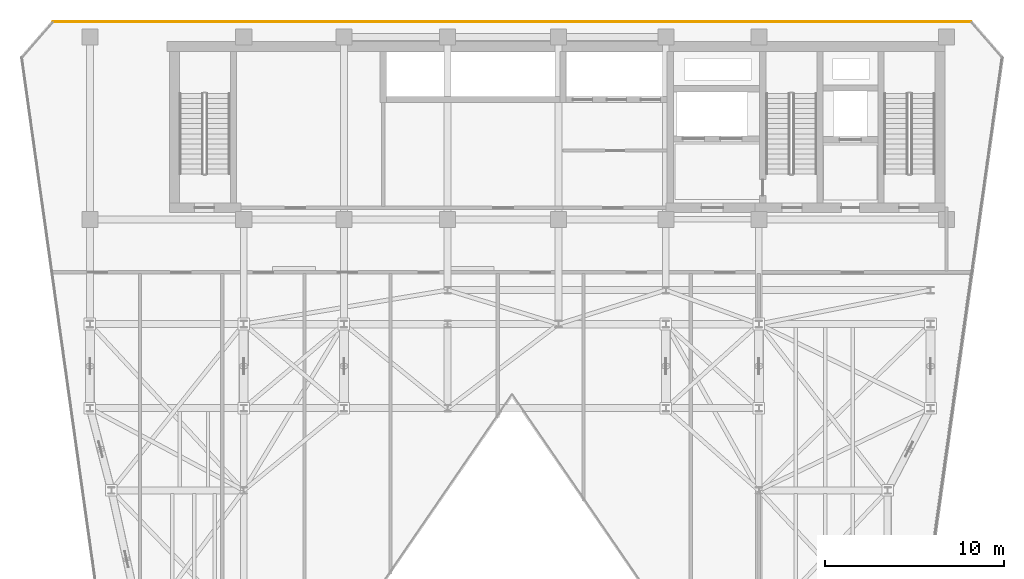
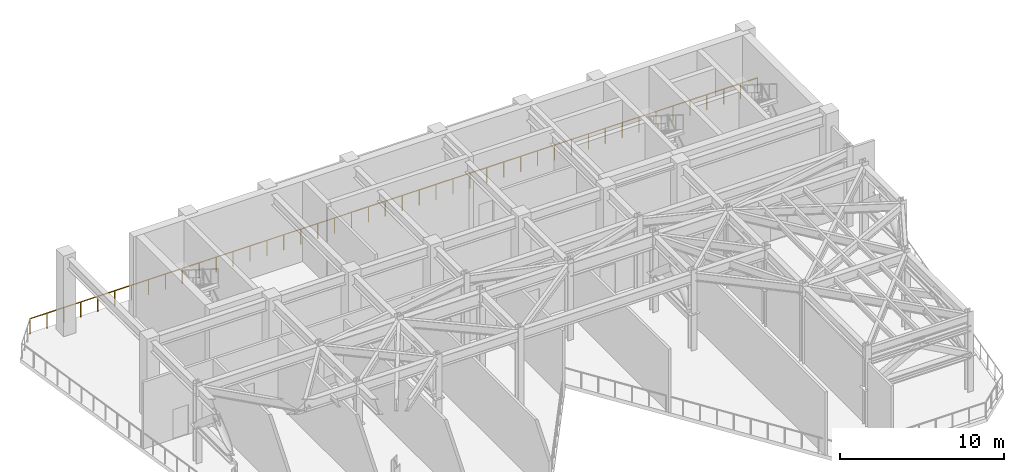
# One storey, part 11 of 12: 1 railing.
"""IFC4 building model written with IfcOpenShell, lengths in metres."""

from ifc_helpers import new_model, si_unit, direction, frame, origin, origin_2d, place, context, subcontext, project, spatial, circle, extrude, material, layer, layer_set, type_object, element, save


model = new_model("IFC4")

# Units and contexts
model_context = context("Model", 3, precision=1e-05, world=origin(), true_north=direction((0.0, 1.0)))
body_context = subcontext(model_context, "Body", "Model", "MODEL_VIEW")
ifc_project = project(units=[si_unit("LENGTHUNIT", "METRE"), si_unit("AREAUNIT", "SQUARE_METRE"), si_unit("VOLUMEUNIT", "CUBIC_METRE"), si_unit("PLANEANGLEUNIT", "RADIAN"), si_unit("MASSUNIT", "GRAM", prefix="KILO")], contexts=[model_context])

# Site, building, storey
site_placement = place(None, origin())
site = spatial("IfcSite", under=ifc_project, at=site_placement, CompositionType="ELEMENT")
building_placement = place(site_placement, origin())
building = spatial("IfcBuilding", under=site, at=building_placement, Name="Kravanh Interchange Tower", CompositionType="ELEMENT")
storey_placement = place(building_placement, frame((0.0, 0.0, 225.0)))
storey = spatial("IfcBuildingStorey", under=building, at=storey_placement, Name="L54", CompositionType="ELEMENT", Elevation=225.0)

# Railing
ifc_material = material(Name="Structural Steel S355", Category="steel")
ifc_layer = layer(ifc_material, 0.070068359375)
ifc_layer_set = layer_set([ifc_layer], Name="Wind Storey Perimeter Safety Guardrail Structural Steel S355 1150mm")
railing_type = type_object("IfcRailingType", Name="Wind Storey Perimeter Safety Guardrail Structural Steel S355 1150mm", PredefinedType="GUARDRAIL", material=ifc_layer_set)
railing_placement = place(storey_placement, frame((16.545654296875, 48.39990234375, 0.0)))
element("IfcRailing", 1, at=railing_placement, inside=storey, type_object=railing_type, Name="L54 Open Wind Floor Perimeter Guardrail 3", PredefinedType="GUARDRAIL", context=body_context, shape_type="SweptSolid", body=[
    extrude(circle(Radius=0.02392578125, at=origin_2d()), frame((0.0, 0.0, 1.1259765625), z_axis=(1.0, 0.0, 0.0), x_axis=(0.0, 1.0, 0.0)), (0.0, 0.0, 1.0), 51.308837890625),
    extrude(circle(Radius=0.02099609375, at=origin_2d()), origin(), (0.0, 0.0, 1.0), 1.101806640625),
    extrude(circle(Radius=0.02099609375, at=origin_2d()), frame((1.193115234375, 0.0, 0.0)), (0.0, 0.0, 1.0), 1.101806640625),
    extrude(circle(Radius=0.02099609375, at=origin_2d()), frame((2.386474609375, 0.0, 0.0)), (0.0, 0.0, 1.0), 1.101806640625),
    extrude(circle(Radius=0.02099609375, at=origin_2d()), frame((3.57958984375, 0.0, 0.0)), (0.0, 0.0, 1.0), 1.101806640625),
    extrude(circle(Radius=0.02099609375, at=origin_2d()), frame((4.77294921875, 0.0, 0.0)), (0.0, 0.0, 1.0), 1.101806640625),
    extrude(circle(Radius=0.02099609375, at=origin_2d()), frame((5.966064453125, 0.0, 0.0)), (0.0, 0.0, 1.0), 1.101806640625),
    extrude(circle(Radius=0.02099609375, at=origin_2d()), frame((7.159423828125, 0.0, 0.0)), (0.0, 0.0, 1.0), 1.101806640625),
    extrude(circle(Radius=0.02099609375, at=origin_2d()), frame((8.3525390625, 0.0, 0.0)), (0.0, 0.0, 1.0), 1.101806640625),
    extrude(circle(Radius=0.02099609375, at=origin_2d()), frame((9.5458984375, 0.0, 0.0)), (0.0, 0.0, 1.0), 1.101806640625),
    extrude(circle(Radius=0.02099609375, at=origin_2d()), frame((10.739013671875, 0.0, 0.0)), (0.0, 0.0, 1.0), 1.101806640625),
    extrude(circle(Radius=0.02099609375, at=origin_2d()), frame((11.932373046875, 0.0, 0.0)), (0.0, 0.0, 1.0), 1.101806640625),
    extrude(circle(Radius=0.02099609375, at=origin_2d()), frame((13.12548828125, 0.0, 0.0)), (0.0, 0.0, 1.0), 1.101806640625),
    extrude(circle(Radius=0.02099609375, at=origin_2d()), frame((14.31884765625, 0.0, 0.0)), (0.0, 0.0, 1.0), 1.101806640625),
    extrude(circle(Radius=0.02099609375, at=origin_2d()), frame((15.511962890625, 0.0, 0.0)), (0.0, 0.0, 1.0), 1.101806640625),
    extrude(circle(Radius=0.02099609375, at=origin_2d()), frame((16.705322265625, 0.0, 0.0)), (0.0, 0.0, 1.0), 1.101806640625),
    extrude(circle(Radius=0.02099609375, at=origin_2d()), frame((17.8984375, 0.0, 0.0)), (0.0, 0.0, 1.0), 1.101806640625),
    extrude(circle(Radius=0.02099609375, at=origin_2d()), frame((19.091552734375, 0.0, 0.0)), (0.0, 0.0, 1.0), 1.101806640625),
    extrude(circle(Radius=0.02099609375, at=origin_2d()), frame((20.284912109375, 0.0, 0.0)), (0.0, 0.0, 1.0), 1.101806640625),
    extrude(circle(Radius=0.02099609375, at=origin_2d()), frame((21.47802734375, 0.0, 0.0)), (0.0, 0.0, 1.0), 1.101806640625),
    extrude(circle(Radius=0.02099609375, at=origin_2d()), frame((22.67138671875, 0.0, 0.0)), (0.0, 0.0, 1.0), 1.101806640625),
    extrude(circle(Radius=0.02099609375, at=origin_2d()), frame((23.864501953125, 0.0, 0.0)), (0.0, 0.0, 1.0), 1.101806640625),
    extrude(circle(Radius=0.02099609375, at=origin_2d()), frame((25.057861328125, 0.0, 0.0)), (0.0, 0.0, 1.0), 1.101806640625),
    extrude(circle(Radius=0.02099609375, at=origin_2d()), frame((26.2509765625, 0.0, 0.0)), (0.0, 0.0, 1.0), 1.101806640625),
    extrude(circle(Radius=0.02099609375, at=origin_2d()), frame((27.4443359375, 0.0, 0.0)), (0.0, 0.0, 1.0), 1.101806640625),
    extrude(circle(Radius=0.02099609375, at=origin_2d()), frame((28.637451171875, 0.0, 0.0)), (0.0, 0.0, 1.0), 1.101806640625),
    extrude(circle(Radius=0.02099609375, at=origin_2d()), frame((29.830810546875, 0.0, 0.0)), (0.0, 0.0, 1.0), 1.101806640625),
    extrude(circle(Radius=0.02099609375, at=origin_2d()), frame((31.02392578125, 0.0, 0.0)), (0.0, 0.0, 1.0), 1.101806640625),
    extrude(circle(Radius=0.02099609375, at=origin_2d()), frame((32.21728515625, 0.0, 0.0)), (0.0, 0.0, 1.0), 1.101806640625),
    extrude(circle(Radius=0.02099609375, at=origin_2d()), frame((33.410400390625, 0.0, 0.0)), (0.0, 0.0, 1.0), 1.101806640625),
    extrude(circle(Radius=0.02099609375, at=origin_2d()), frame((34.603515625, 0.0, 0.0)), (0.0, 0.0, 1.0), 1.101806640625),
    extrude(circle(Radius=0.02099609375, at=origin_2d()), frame((35.796875, 0.0, 0.0)), (0.0, 0.0, 1.0), 1.101806640625),
    extrude(circle(Radius=0.02099609375, at=origin_2d()), frame((36.989990234375, 0.0, 0.0)), (0.0, 0.0, 1.0), 1.101806640625),
    extrude(circle(Radius=0.02099609375, at=origin_2d()), frame((38.183349609375, 0.0, 0.0)), (0.0, 0.0, 1.0), 1.101806640625),
    extrude(circle(Radius=0.02099609375, at=origin_2d()), frame((39.37646484375, 0.0, 0.0)), (0.0, 0.0, 1.0), 1.101806640625),
    extrude(circle(Radius=0.02099609375, at=origin_2d()), frame((40.56982421875, 0.0, 0.0)), (0.0, 0.0, 1.0), 1.101806640625),
    extrude(circle(Radius=0.02099609375, at=origin_2d()), frame((41.762939453125, 0.0, 0.0)), (0.0, 0.0, 1.0), 1.101806640625),
    extrude(circle(Radius=0.02099609375, at=origin_2d()), frame((42.956298828125, 0.0, 0.0)), (0.0, 0.0, 1.0), 1.101806640625),
    extrude(circle(Radius=0.02099609375, at=origin_2d()), frame((44.1494140625, 0.0, 0.0)), (0.0, 0.0, 1.0), 1.101806640625),
    extrude(circle(Radius=0.02099609375, at=origin_2d()), frame((45.3427734375, 0.0, 0.0)), (0.0, 0.0, 1.0), 1.101806640625),
    extrude(circle(Radius=0.02099609375, at=origin_2d()), frame((46.535888671875, 0.0, 0.0)), (0.0, 0.0, 1.0), 1.101806640625),
    extrude(circle(Radius=0.02099609375, at=origin_2d()), frame((47.729248046875, 0.0, 0.0)), (0.0, 0.0, 1.0), 1.101806640625),
    extrude(circle(Radius=0.02099609375, at=origin_2d()), frame((48.92236328125, 0.0, 0.0)), (0.0, 0.0, 1.0), 1.101806640625),
    extrude(circle(Radius=0.02099609375, at=origin_2d()), frame((50.11572265625, 0.0, 0.0)), (0.0, 0.0, 1.0), 1.101806640625),
    extrude(circle(Radius=0.02099609375, at=origin_2d()), frame((51.308837890625, 0.0, 0.0)), (0.0, 0.0, 1.0), 1.101806640625),
])

save(model, "model.ifc")
